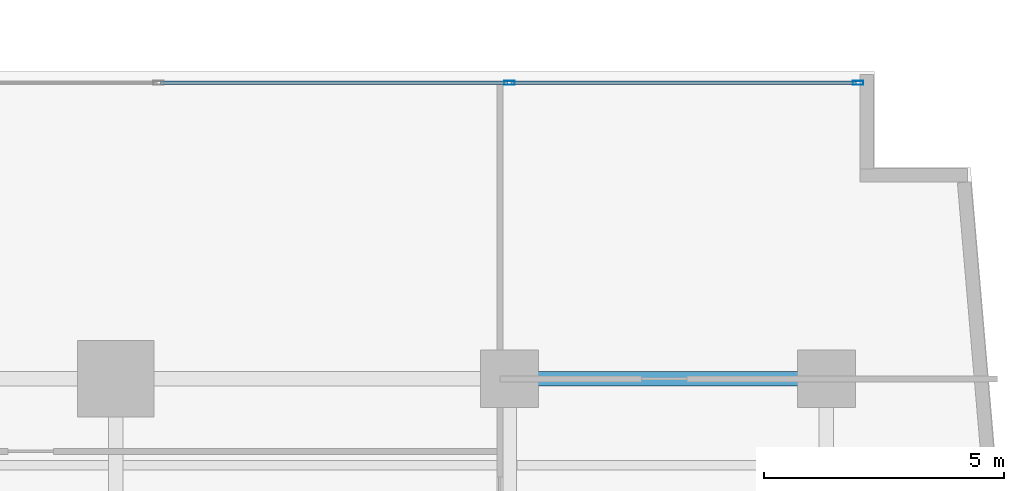
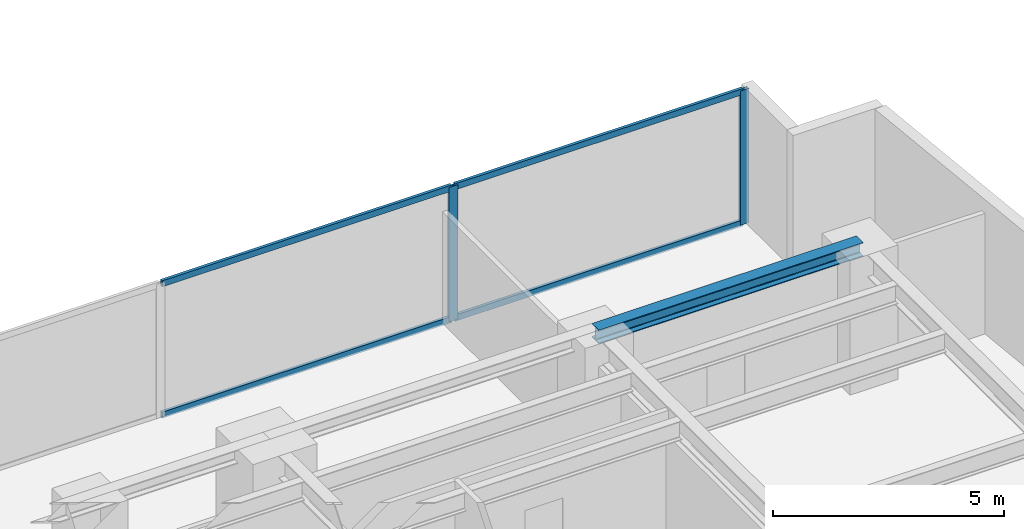
# One storey, part 14 of 27: 6 members, 1 beam, 1 element without a shape of its own.
"""IFC4 building model written with IfcOpenShell, lengths in metres."""

from ifc_helpers import new_model, si_unit, direction, frame, origin, origin_with_axes, origin_2d, place, context, subcontext, project, spatial, hollow_rectangle, i_section, extrude, source, transform, mapped, material, layer, layer_set, material_profile, profile_set, type_object, element, aggregate, save


model = new_model("IFC4")

# Units and contexts
model_context = context("Model", 3, precision=1e-05, world=origin(), true_north=direction((0.0, 1.0)))
body_context = subcontext(model_context, "Body", "Model", "MODEL_VIEW")
ifc_project = project(units=[si_unit("LENGTHUNIT", "METRE"), si_unit("AREAUNIT", "SQUARE_METRE"), si_unit("VOLUMEUNIT", "CUBIC_METRE"), si_unit("PLANEANGLEUNIT", "RADIAN"), si_unit("MASSUNIT", "GRAM", prefix="KILO")], contexts=[model_context])

# Site, building, storey
site_placement = place(None, origin())
site = spatial("IfcSite", under=ifc_project, at=site_placement, CompositionType="ELEMENT")
building_placement = place(site_placement, origin())
building = spatial("IfcBuilding", under=site, at=building_placement, Name="Kolvaren Waterfront Exchange", CompositionType="ELEMENT")
storey_placement = place(building_placement, frame((0.0, 0.0, 60.0)))
storey = spatial("IfcBuildingStorey", under=building, at=storey_placement, Name="L15", CompositionType="ELEMENT", Elevation=60.0)

# Beam
ifc_material_1 = material(Name="Steel S355", Category="steel")
ifc_material_profile_1 = material_profile(ifc_material_1, i_section(OverallWidth=0.300048828125, OverallDepth=0.360107421875, WebThickness=0.012451171875, FlangeThickness=0.0224609375, FilletRadius=0.027099609375, at=origin_2d()), Name="HEB360")
ifc_profile_set_1 = profile_set([ifc_material_profile_1], Name="Steel S355")
beam_type = type_object("IfcBeamType", Name="STR-BM-HEB360", PredefinedType="SPANDREL", material=ifc_profile_set_1)
beam_placement = place(storey_placement, frame((53.800048828125, 17.39990234375, 3.360107421875), z_axis=(1.0, 0.0, 0.0), x_axis=(0.0, 1.0, 0.0)))
element("IfcBeam", 1, at=beam_placement, inside=storey, type_object=beam_type, Name="L15 east-arm spandrel N5", PredefinedType="SPANDREL", context=body_context, shape_type="SweptSolid", body=[
    extrude(i_section(OverallWidth=0.300048828125, OverallDepth=0.360107421875, WebThickness=0.012451171875, FlangeThickness=0.0224609375, FilletRadius=0.027099609375, at=origin_2d()), origin(), (0.0, 0.0, 1.0), 6.599853515625),
])

# Curtain wall, members
ifc_material_2 = material(Name="Anodised bronze aluminium 6063-T6", Category="aluminium")
ifc_layer = layer(ifc_material_2, 0.219970703125, Name="Anodised bronze aluminium 6063-T6")
ifc_layer_set = layer_set([ifc_layer], Name="Anodised bronze aluminium 6063-T6")
curtain_wall_type = type_object("IfcCurtainWallType", Name="ARC-CW-SYS1", PredefinedType="USERDEFINED", material=ifc_layer_set)
curtain_wall_placement = place(storey_placement, origin())
curtain_wall = element("IfcCurtainWall", 2, at=curtain_wall_placement, inside=storey, type_object=curtain_wall_type, Name="L15 stick curtain wall CW1 (CW-L15-EN)", ObjectType="STICK CURTAIN WALL", PredefinedType="USERDEFINED")
ifc_material_3 = material(Name="Anodised aluminium 6063-T6", Category="aluminium")
ifc_material_profile_2 = material_profile(ifc_material_3, hollow_rectangle(XDim=0.074951171875, YDim=0.159912109375, WallThickness=0.00439453125, at=origin_2d()), Name="ALU-TRN-160x75x4.5")
ifc_profile_set_2 = profile_set([ifc_material_profile_2], Name="Anodised aluminium 6063-T6")
member_type_1 = type_object("IfcMemberType", Name="ARC-CWT-160", PredefinedType="USERDEFINED", material=ifc_profile_set_2)
shared_shape_1 = source(origin_with_axes(), body_context, "Body", "SweptSolid", [
    extrude(hollow_rectangle(XDim=0.074951171875, YDim=0.159912109375, WallThickness=0.00439453125, at=origin_2d()), origin(), (0.0, 0.0, 1.0), 7.1826171875),
])
member_1_placement = place(storey_placement, frame((53.83740234375, 23.56005859375, 0.03759765625), z_axis=(1.0, 0.0, 0.0), x_axis=(0.0, 1.0, 0.0)))
member_1 = element("IfcMember", 3, at=member_1_placement, type_object=member_type_1, Name="CW1 transom 4.1", ObjectType="TRANSOM", PredefinedType="USERDEFINED", context=body_context, shape_type="MappedRepresentation", body=[
    mapped(shared_shape_1, transform((0.0, 0.0, 0.0), x_axis=(1.0, 0.0, 0.0), y_axis=(0.0, 1.0, 0.0), z_axis=(0.0, 0.0, 1.0), scale=1.0)),
])
member_2_placement = place(storey_placement, frame((53.83740234375, 23.56005859375, 3.50244140625), z_axis=(1.0, 0.0, 0.0), x_axis=(0.0, 1.0, 0.0)))
member_2 = element("IfcMember", 4, at=member_2_placement, type_object=member_type_1, Name="CW1 transom 4.2", ObjectType="TRANSOM", PredefinedType="USERDEFINED", context=body_context, shape_type="MappedRepresentation", body=[
    mapped(shared_shape_1, transform((0.0, 0.0, 0.0), x_axis=(1.0, 0.0, 0.0), y_axis=(0.0, 1.0, 0.0), z_axis=(0.0, 0.0, 1.0), scale=1.0)),
])
shared_shape_2 = source(origin_with_axes(), body_context, "Body", "SweptSolid", [
    extrude(hollow_rectangle(XDim=0.074951171875, YDim=0.159912109375, WallThickness=0.00439453125, at=origin_2d()), origin(), (0.0, 0.0, 1.0), 7.22265625),
])
member_3_placement = place(storey_placement, frame((46.534912109375, 23.56005859375, 0.03759765625), z_axis=(1.0, 0.0, 0.0), x_axis=(0.0, 1.0, 0.0)))
member_3 = element("IfcMember", 5, at=member_3_placement, type_object=member_type_1, Name="CW1 transom 3.1", ObjectType="TRANSOM", PredefinedType="USERDEFINED", context=body_context, shape_type="MappedRepresentation", body=[
    mapped(shared_shape_2, transform((0.0, 0.0, 0.0), x_axis=(1.0, 0.0, 0.0), y_axis=(0.0, 1.0, 0.0), z_axis=(0.0, 0.0, 1.0), scale=1.0)),
])
member_4_placement = place(storey_placement, frame((46.534912109375, 23.56005859375, 3.50244140625), z_axis=(1.0, 0.0, 0.0), x_axis=(0.0, 1.0, 0.0)))
member_4 = element("IfcMember", 6, at=member_4_placement, type_object=member_type_1, Name="CW1 transom 3.2", ObjectType="TRANSOM", PredefinedType="USERDEFINED", context=body_context, shape_type="MappedRepresentation", body=[
    mapped(shared_shape_2, transform((0.0, 0.0, 0.0), x_axis=(1.0, 0.0, 0.0), y_axis=(0.0, 1.0, 0.0), z_axis=(0.0, 0.0, 1.0), scale=1.0)),
])
ifc_material_profile_3 = material_profile(ifc_material_3, hollow_rectangle(XDim=0.080078125, YDim=0.219970703125, WallThickness=0.0048828125, at=origin_2d()), Name="ALU-MUL-220x80x5")
ifc_profile_set_3 = profile_set([ifc_material_profile_3], Name="Anodised aluminium 6063-T6")
member_type_2 = type_object("IfcMemberType", Name="ARC-CWM-220", PredefinedType="MULLION", material=ifc_profile_set_3)
shared_shape_3 = source(origin_with_axes(), body_context, "Body", "SweptSolid", [
    extrude(hollow_rectangle(XDim=0.080078125, YDim=0.219970703125, WallThickness=0.0048828125, at=origin_2d()), origin(), (0.0, 0.0, 1.0), 3.5400390625),
])
member_5_placement = place(storey_placement, frame((53.797607421875, 23.56005859375, 0.0), z_axis=(0.0, 0.0, 1.0), x_axis=(0.0, 1.0, 0.0)))
member_5 = element("IfcMember", 7, at=member_5_placement, type_object=member_type_2, Name="CW1 mullion 4", PredefinedType="MULLION", context=body_context, shape_type="MappedRepresentation", body=[
    mapped(shared_shape_3, transform((0.0, 0.0, 0.0), x_axis=(1.0, 0.0, 0.0), y_axis=(0.0, 1.0, 0.0), z_axis=(0.0, 0.0, 1.0), scale=1.0)),
])
member_6_placement = place(storey_placement, frame((61.06005859375, 23.56005859375, 0.0), z_axis=(0.0, 0.0, 1.0), x_axis=(0.0, 1.0, 0.0)))
member_6 = element("IfcMember", 8, at=member_6_placement, type_object=member_type_2, Name="CW1 mullion 5", PredefinedType="MULLION", context=body_context, shape_type="MappedRepresentation", body=[
    mapped(shared_shape_3, transform((0.0, 0.0, 0.0), x_axis=(1.0, 0.0, 0.0), y_axis=(0.0, 1.0, 0.0), z_axis=(0.0, 0.0, 1.0), scale=1.0)),
])
aggregate(curtain_wall, [member_5, member_6, member_3, member_4, member_1, member_2])

save(model, "model.ifc")
